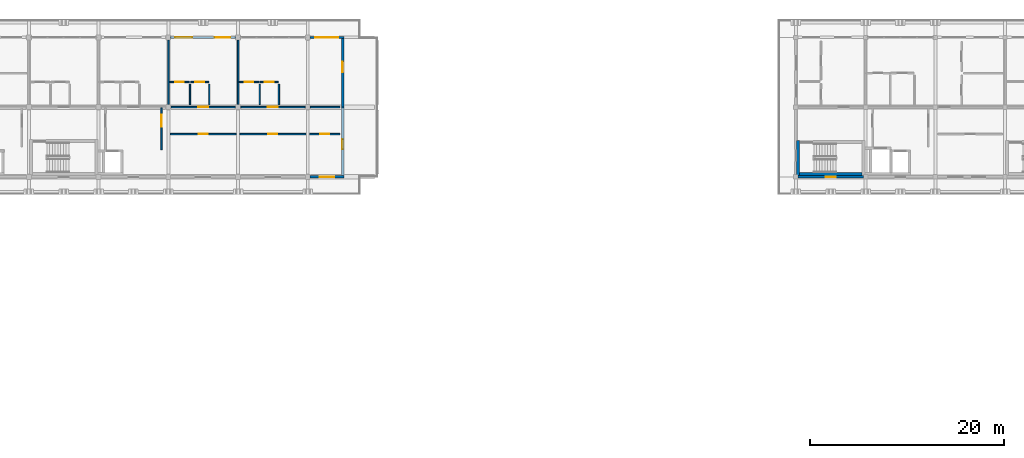
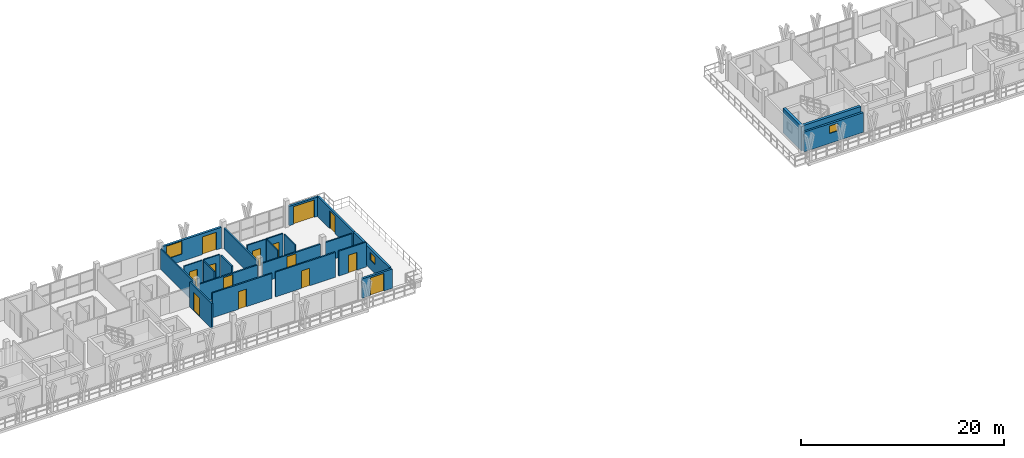
# One storey, part 30 of 45: 25 walls, 14 doors, 3 windows, 17 openings.
"""IFC4 building model written with IfcOpenShell, lengths in metres."""

from ifc_helpers import new_model, si_unit, direction, frame, frame_2d, origin, place, context, subcontext, project, spatial, rectangle, extrude, material, layer, layer_set, type_object, element, fill, save


model = new_model("IFC4")

# Units and contexts
model_context = context("Model", 3, precision=1e-05, world=origin(), true_north=direction((0.0, 1.0)))
body_context = subcontext(model_context, "Body", "Model", "MODEL_VIEW")
ifc_project = project(units=[si_unit("LENGTHUNIT", "METRE"), si_unit("AREAUNIT", "SQUARE_METRE"), si_unit("VOLUMEUNIT", "CUBIC_METRE"), si_unit("PLANEANGLEUNIT", "RADIAN"), si_unit("MASSUNIT", "GRAM", prefix="KILO")], contexts=[model_context])

# Site, building, storey
site_placement = place(None, origin())
site = spatial("IfcSite", under=ifc_project, at=site_placement, CompositionType="ELEMENT")
building_placement = place(site_placement, origin())
building = spatial("IfcBuilding", under=site, at=building_placement, Name="Suanplinth Sawtooth Commons", CompositionType="ELEMENT")
storey_placement = place(building_placement, frame((0.0, 0.0, 38.0)))
storey = spatial("IfcBuildingStorey", under=building, at=storey_placement, Name="L11", CompositionType="ELEMENT", Elevation=38.0)

# Walls
ifc_material_1 = material(Name="Concrete C40/50", Category="concrete")
ifc_layer_1 = layer(ifc_material_1, 0.300048828125, Name="Standard RC stair and lift core wall 300mm")
ifc_layer_set_1 = layer_set([ifc_layer_1], Name="Concrete C40/50")
wall_type_1 = type_object("IfcWallType", Name="W-CR02", PredefinedType="SHEAR", material=ifc_layer_set_1)
wall_1_placement = place(storey_placement, frame((137.14990234375, 108.300048828125, 0.0), z_axis=(0.0, 0.0, 1.0), x_axis=(1.0, 0.0, 0.0)))
element("IfcWall", 1, at=wall_1_placement, inside=storey, type_object=wall_type_1, Name="W-L11-C-B1-STS", PredefinedType="SHEAR", context=body_context, shape_type="SweptSolid", body=[
    extrude(rectangle(XDim=6.5, YDim=0.300048828125, at=frame_2d((3.25, 0.0))), origin(), (0.0, 0.0, 1.0), 2.989990234375),
])
wall_2_placement = place(storey_placement, frame((137.0, 108.14990234375, 0.0), z_axis=(0.0, 0.0, 1.0), x_axis=(0.0, 1.0, 0.0)))
element("IfcWall", 2, at=wall_2_placement, inside=storey, type_object=wall_type_1, Name="W-L11-C-B1-STW", PredefinedType="SHEAR", context=body_context, shape_type="SweptSolid", body=[
    extrude(rectangle(XDim=3.60009765625, YDim=0.300048828125, at=frame_2d((1.800048828125, 0.0))), origin(), (0.0, 0.0, 1.0), 2.989990234375),
])

# Wall, openings, door, window
ifc_material_2 = material(Name="Precast concrete C40/50", Category="concrete")
ifc_layer_2 = layer(ifc_material_2, 0.239990234375, Name="Upper insulated precast facade wall 240mm")
ifc_layer_set_2 = layer_set([ifc_layer_2], Name="Precast concrete C40/50")
wall_type_2 = type_object("IfcWallType", Name="W-EX03", PredefinedType="ELEMENTEDWALL", material=ifc_layer_set_2)
wall_3_placement = place(storey_placement, frame((72.25, 122.39990234375, 0.0), z_axis=(0.0, 0.0, 1.0), x_axis=(1.0, 0.0, 0.0)))
wall_3 = element("IfcWall", 3, at=wall_3_placement, inside=storey, type_object=wall_type_2, Name="Facade Wall W-L11-A-N-7", PredefinedType="ELEMENTEDWALL", context=body_context, shape_type="SweptSolid", body=[
    extrude(rectangle(XDim=6.699951171875, YDim=0.239990234375, at=frame_2d((3.35009765625, 0.0))), origin(), (0.0, 0.0, 1.0), 2.52490234375),
])
opening_1_placement = place(wall_3_placement, frame((4.550048828125, 0.0, 0.0)))
opening_1 = element("IfcOpeningElement", 4, at=opening_1_placement, cuts=wall_3, Name="Opening ED0786", PredefinedType="OPENING", context=body_context, shape_type="SweptSolid", body=[
    extrude(rectangle(XDim=1.60009765625, YDim=2.1201171875, at=frame_2d((0.800048828125, 1.06005859375))), frame((0.0, 0.134765625, 0.0), z_axis=(0.0, -1.0, 0.0), x_axis=(1.0, 0.0, 0.0)), (0.0, 0.0, 1.0), 0.269775390625),
])
opening_2_placement = place(wall_3_placement, frame((0.449951171875, 0.0, 0.864990234375)))
opening_2 = element("IfcOpeningElement", 5, at=opening_2_placement, cuts=wall_3, Name="Opening W0870", PredefinedType="OPENING", context=body_context, shape_type="SweptSolid", body=[
    extrude(rectangle(XDim=1.75, YDim=1.550048828125, at=frame_2d((0.875, 0.77490234375))), frame((0.0, 0.134765625, 0.0), z_axis=(0.0, -1.0, 0.0), x_axis=(1.0, 0.0, 0.0)), (0.0, 0.0, 1.0), 0.269775390625),
])
ifc_material_3 = material(Name="Anodized aluminium and low-E glass", Category="aluminium")
door_type_1 = type_object("IfcDoorType", Name="SD-02", OperationType="SLIDING_TO_RIGHT", PredefinedType="DOOR", material=ifc_material_3)
door_1_placement = place(opening_1_placement, frame((1.60009765625, 0.0, 0.0), z_axis=(0.0, 0.0, 1.0), x_axis=(-1.0, 0.0, 0.0)))
door_1 = element("IfcDoor", 6, at=door_1_placement, inside=storey, type_object=door_type_1, Name="Balcony Sliding Door L11-A-N-7", OperationType="SLIDING_TO_RIGHT", OverallHeight=2.1201171875, OverallWidth=1.60009765625, PredefinedType="DOOR", context=body_context, shape_type="SweptSolid", body=[
    extrude(rectangle(XDim=1.60009765625, YDim=2.1201171875, at=frame_2d((0.800048828125, 1.06005859375))), frame((0.0, 0.02490234375, 0.0), z_axis=(0.0, -1.0, 0.0), x_axis=(1.0, 0.0, 0.0)), (0.0, 0.0, 1.0), 0.050048828125),
])
fill(opening_1, door_1)
ifc_material_4 = material(Name="Thermally broken aluminium and low-E double glazing", Category="aluminium")
window_type_1 = type_object("IfcWindowType", Name="WN-26", PartitioningType="DOUBLE_PANEL_VERTICAL", PredefinedType="WINDOW", material=ifc_material_4)
window_1_placement = place(opening_2_placement, origin())
window_1 = element("IfcWindow", 7, at=window_1_placement, inside=storey, type_object=window_type_1, Name="Window L11-A-N-7", OverallHeight=1.550048828125, OverallWidth=1.75, PartitioningType="DOUBLE_PANEL_VERTICAL", PredefinedType="WINDOW", context=body_context, shape_type="SweptSolid", body=[
    extrude(rectangle(XDim=1.75, YDim=1.550048828125, at=frame_2d((0.875, 0.77490234375))), frame((0.0, 0.030029296875, 0.0), z_axis=(0.0, -1.0, 0.0), x_axis=(1.0, 0.0, 0.0)), (0.0, 0.0, 1.0), 0.06005859375),
])
fill(opening_2, window_1)

# Wall, opening, door
wall_4_placement = place(storey_placement, frame((86.64990234375, 122.39990234375, 0.0), z_axis=(0.0, 0.0, 1.0), x_axis=(1.0, 0.0, 0.0)))
wall_4 = element("IfcWall", 8, at=wall_4_placement, inside=storey, type_object=wall_type_2, Name="Facade Wall W-L11-A-N-9", PredefinedType="ELEMENTEDWALL", context=body_context, shape_type="SweptSolid", body=[
    extrude(rectangle(XDim=3.47021484375, YDim=0.239990234375, at=frame_2d((1.735107421875, 0.0))), origin(), (0.0, 0.0, 1.0), 2.324951171875),
])
opening_3_placement = place(wall_4_placement, frame((0.52001953125, 0.0, 0.0)))
opening_3 = element("IfcOpeningElement", 9, at=opening_3_placement, cuts=wall_4, Name="Opening ED0789", PredefinedType="OPENING", context=body_context, shape_type="SweptSolid", body=[
    extrude(rectangle(XDim=2.39990234375, YDim=2.1201171875, at=frame_2d((1.199951171875, 1.06005859375))), frame((0.0, 0.134765625, 0.0), z_axis=(0.0, -1.0, 0.0), x_axis=(1.0, 0.0, 0.0)), (0.0, 0.0, 1.0), 0.269775390625),
])
door_type_2 = type_object("IfcDoorType", Name="SD-04", OperationType="DOUBLE_DOOR_SLIDING", PredefinedType="DOOR", material=ifc_material_3)
door_2_placement = place(opening_3_placement, frame((2.39990234375, 0.0, 0.0), z_axis=(0.0, 0.0, 1.0), x_axis=(-1.0, 0.0, 0.0)))
door_2 = element("IfcDoor", 10, at=door_2_placement, inside=storey, type_object=door_type_2, Name="Balcony Sliding Door L11-A-N-9", OperationType="DOUBLE_DOOR_SLIDING", OverallHeight=2.1201171875, OverallWidth=2.39990234375, PredefinedType="DOOR", context=body_context, shape_type="SweptSolid", body=[
    extrude(rectangle(XDim=2.39990234375, YDim=2.1201171875, at=frame_2d((1.199951171875, 1.06005859375))), frame((0.0, 0.02490234375, 0.0), z_axis=(0.0, -1.0, 0.0), x_axis=(1.0, 0.0, 0.0)), (0.0, 0.0, 1.0), 0.050048828125),
])
fill(opening_3, door_2)

wall_5_placement = place(storey_placement, frame((86.64990234375, 108.0, 0.0), z_axis=(0.0, 0.0, 1.0), x_axis=(1.0, 0.0, 0.0)))
wall_5 = element("IfcWall", 11, at=wall_5_placement, inside=storey, type_object=wall_type_2, Name="Courtyard Wall W-L11-A-S-9", PredefinedType="ELEMENTEDWALL", context=body_context, shape_type="SweptSolid", body=[
    extrude(rectangle(XDim=3.47021484375, YDim=0.239990234375, at=frame_2d((1.735107421875, 0.0))), origin(), (0.0, 0.0, 1.0), 2.324951171875),
])
opening_4_placement = place(wall_5_placement, frame((0.985107421875, 0.0, 0.0)))
opening_4 = element("IfcOpeningElement", 12, at=opening_4_placement, cuts=wall_5, Name="Opening ED0790", PredefinedType="OPENING", context=body_context, shape_type="SweptSolid", body=[
    extrude(rectangle(XDim=1.5, YDim=2.1201171875, at=frame_2d((0.75, 1.06005859375))), frame((0.0, 0.134765625, 0.0), z_axis=(0.0, -1.0, 0.0), x_axis=(1.0, 0.0, 0.0)), (0.0, 0.0, 1.0), 0.269775390625),
])
door_type_3 = type_object("IfcDoorType", Name="SD-03", OperationType="SLIDING_TO_LEFT", PredefinedType="DOOR", material=ifc_material_3)
door_3_placement = place(opening_4_placement, frame((1.5, 0.0, 0.0), z_axis=(0.0, 0.0, 1.0), x_axis=(-1.0, 0.0, 0.0)))
door_3 = element("IfcDoor", 13, at=door_3_placement, inside=storey, type_object=door_type_3, Name="Courtyard Balcony Sliding Door L11-A-S-9", OperationType="SLIDING_TO_LEFT", OverallHeight=2.1201171875, OverallWidth=1.5, PredefinedType="DOOR", context=body_context, shape_type="SweptSolid", body=[
    extrude(rectangle(XDim=1.5, YDim=2.1201171875, at=frame_2d((0.75, 1.06005859375))), frame((0.0, 0.02490234375, 0.0), z_axis=(0.0, -1.0, 0.0), x_axis=(1.0, 0.0, 0.0)), (0.0, 0.0, 1.0), 0.050048828125),
])
fill(opening_4, door_3)

# Wall, opening, window
wall_6_placement = place(storey_placement, frame((137.02490234375, 108.0, 0.0), z_axis=(0.0, 0.0, 1.0), x_axis=(1.0, 0.0, 0.0)))
wall_6 = element("IfcWall", 14, at=wall_6_placement, inside=storey, type_object=wall_type_2, Name="Facade Wall W-L11-B-S-19-15", PredefinedType="ELEMENTEDWALL", context=body_context, shape_type="SweptSolid", body=[
    extrude(rectangle(XDim=6.75, YDim=0.239990234375, at=frame_2d((3.375, 0.0))), origin(), (0.0, 0.0, 1.0), 2.375),
])
opening_5_placement = place(wall_6_placement, frame((2.875, 0.0, 1.199951171875)))
opening_5 = element("IfcOpeningElement", 15, at=opening_5_placement, cuts=wall_6, Name="Opening W0873", PredefinedType="OPENING", context=body_context, shape_type="SweptSolid", body=[
    extrude(rectangle(XDim=1.0, YDim=0.89990234375, at=frame_2d((0.5, 0.449951171875))), frame((0.0, 0.134765625, 0.0), z_axis=(0.0, -1.0, 0.0), x_axis=(1.0, 0.0, 0.0)), (0.0, 0.0, 1.0), 0.269775390625),
])
window_type_2 = type_object("IfcWindowType", Name="WN-12", PartitioningType="SINGLE_PANEL", PredefinedType="WINDOW", material=ifc_material_4)
window_2_placement = place(opening_5_placement, origin())
window_2 = element("IfcWindow", 16, at=window_2_placement, inside=storey, type_object=window_type_2, Name="Core Daylight Window L11-B-19-15", OverallHeight=0.89990234375, OverallWidth=1.0, PartitioningType="SINGLE_PANEL", PredefinedType="WINDOW", context=body_context, shape_type="SweptSolid", body=[
    extrude(rectangle(XDim=1.0, YDim=0.89990234375, at=frame_2d((0.5, 0.449951171875))), frame((0.0, 0.030029296875, 0.0), z_axis=(0.0, -1.0, 0.0), x_axis=(1.0, 0.0, 0.0)), (0.0, 0.0, 1.0), 0.06005859375),
])
fill(opening_5, window_2)

ifc_layer_3 = layer(ifc_material_2, 0.22998046875, Name="Stepped terrace insulated precast wall 230mm")
ifc_layer_set_3 = layer_set([ifc_layer_3], Name="Precast concrete C40/50")
wall_type_3 = type_object("IfcWallType", Name="W-EX06", PredefinedType="ELEMENTEDWALL", material=ifc_layer_set_3)
wall_7_placement = place(storey_placement, frame((90.0, 108.1201171875, 0.0), z_axis=(0.0, 0.0, 1.0), x_axis=(0.0, 1.0, 0.0)))
wall_7 = element("IfcWall", 17, at=wall_7_placement, inside=storey, type_object=wall_type_3, Name="End Wall W-L11-A-E-15", PredefinedType="ELEMENTEDWALL", context=body_context, shape_type="SweptSolid", body=[
    extrude(rectangle(XDim=7.079833984375, YDim=0.22998046875, at=frame_2d((3.5400390625, 0.0))), origin(), (0.0, 0.0, 1.0), 2.425048828125),
])
opening_6_placement = place(wall_7_placement, frame((2.75, 0.0, 1.10009765625)))
opening_6 = element("IfcOpeningElement", 18, at=opening_6_placement, cuts=wall_7, Name="Opening W0872", PredefinedType="OPENING", context=body_context, shape_type="SweptSolid", body=[
    extrude(rectangle(XDim=1.0, YDim=0.89990234375, at=frame_2d((0.5, 0.449951171875))), frame((0.0, 0.1298828125, 0.0), z_axis=(0.0, -1.0, 0.0), x_axis=(1.0, 0.0, 0.0)), (0.0, 0.0, 1.0), 0.259765625),
])
window_3_placement = place(opening_6_placement, origin())
window_3 = element("IfcWindow", 19, at=window_3_placement, inside=storey, type_object=window_type_2, Name="End Window L11-A-E-15", OverallHeight=0.89990234375, OverallWidth=1.0, PartitioningType="SINGLE_PANEL", PredefinedType="WINDOW", context=body_context, shape_type="SweptSolid", body=[
    extrude(rectangle(XDim=1.0, YDim=0.89990234375, at=frame_2d((0.5, 0.449951171875))), frame((0.0, 0.030029296875, 0.0), z_axis=(0.0, -1.0, 0.0), x_axis=(1.0, 0.0, 0.0)), (0.0, 0.0, 1.0), 0.06005859375),
])
fill(opening_6, window_3)

# Wall, opening, door
wall_8_placement = place(storey_placement, frame((90.0, 115.199951171875, 0.0), z_axis=(0.0, 0.0, 1.0), x_axis=(0.0, 1.0, 0.0)))
wall_8 = element("IfcWall", 20, at=wall_8_placement, inside=storey, type_object=wall_type_3, Name="End Wall W-L11-A-E-16", PredefinedType="ELEMENTEDWALL", context=body_context, shape_type="SweptSolid", body=[
    extrude(rectangle(XDim=7.080078125, YDim=0.22998046875, at=frame_2d((3.5400390625, 0.0))), origin(), (0.0, 0.0, 1.0), 2.425048828125),
])
opening_7_placement = place(wall_8_placement, frame((3.60009765625, 0.0, 0.0)))
opening_7 = element("IfcOpeningElement", 21, at=opening_7_placement, cuts=wall_8, Name="Opening ED0792", PredefinedType="OPENING", context=body_context, shape_type="SweptSolid", body=[
    extrude(rectangle(XDim=1.080078125, YDim=2.1201171875, at=frame_2d((0.5400390625, 1.06005859375))), frame((0.0, 0.1298828125, 0.0), z_axis=(0.0, -1.0, 0.0), x_axis=(1.0, 0.0, 0.0)), (0.0, 0.0, 1.0), 0.259765625),
])
door_type_4 = type_object("IfcDoorType", Name="ED-10", OperationType="NOTDEFINED", PredefinedType="DOOR", material=ifc_material_3)
door_4_placement = place(opening_7_placement, frame((1.080078125, 0.0, 0.0), z_axis=(0.0, 0.0, 1.0), x_axis=(-1.0, 0.0, 0.0)))
door_4 = element("IfcDoor", 22, at=door_4_placement, inside=storey, type_object=door_type_4, Name="L11 Block A E Stepped Terrace Door", OperationType="SINGLE_SWING_LEFT", OverallHeight=2.1201171875, OverallWidth=1.080078125, PredefinedType="DOOR", context=body_context, shape_type="SweptSolid", body=[
    extrude(rectangle(XDim=1.080078125, YDim=2.1201171875, at=frame_2d((0.5400390625, 1.06005859375))), frame((0.0, 0.02490234375, 0.0), z_axis=(0.0, -1.0, 0.0), x_axis=(1.0, 0.0, 0.0)), (0.0, 0.0, 1.0), 0.050048828125),
])
fill(opening_7, door_4)

ifc_layer_4 = layer(ifc_material_2, 0.159912109375, Name="Fire-rated corridor and lobby wall 160mm")
ifc_layer_set_4 = layer_set([ifc_layer_4], Name="Precast concrete C40/50")
wall_type_4 = type_object("IfcWallType", Name="W-FW01", PredefinedType="PARTITIONING", material=ifc_layer_set_4)
wall_9_placement = place(storey_placement, frame((71.280029296875, 110.800048828125, 0.0), z_axis=(0.0, 0.0, 1.0), x_axis=(0.0, 1.0, 0.0)))
wall_9 = element("IfcWall", 23, at=wall_9_placement, inside=storey, type_object=wall_type_4, Name="W-L11-C-A2-LOB-E", PredefinedType="PARTITIONING", context=body_context, shape_type="SweptSolid", body=[
    extrude(rectangle(XDim=4.320068359375, YDim=0.159912109375, at=frame_2d((2.16015625, 0.0))), origin(), (0.0, 0.0, 1.0), 2.989990234375),
])
opening_8_placement = place(wall_9_placement, frame((2.39990234375, 0.0, 0.0)))
opening_8 = element("IfcOpeningElement", 24, at=opening_8_placement, cuts=wall_9, Name="Opening FD0136", PredefinedType="OPENING", context=body_context, shape_type="SweptSolid", body=[
    extrude(rectangle(XDim=1.199951171875, YDim=2.199951171875, at=frame_2d((0.60009765625, 1.10009765625))), frame((0.0, 0.0947265625, 0.0), z_axis=(0.0, -1.0, 0.0), x_axis=(1.0, 0.0, 0.0)), (0.0, 0.0, 1.0), 0.189697265625),
])
ifc_material_5 = material(Name="Teak hardwood fire-rated door assembly", Category="wood")
door_type_5 = type_object("IfcDoorType", Name="FD-02", OperationType="NOTDEFINED", PredefinedType="DOOR", material=ifc_material_5)
door_5_placement = place(opening_8_placement, frame((1.199951171875, 0.0, 0.0), z_axis=(0.0, 0.0, 1.0), x_axis=(-1.0, 0.0, 0.0)))
door_5 = element("IfcDoor", 25, at=door_5_placement, inside=storey, type_object=door_type_5, Name="Lobby Fire Door FD0136", OperationType="SINGLE_SWING_LEFT", OverallHeight=2.199951171875, OverallWidth=1.199951171875, PredefinedType="DOOR", context=body_context, shape_type="SweptSolid", body=[
    extrude(rectangle(XDim=1.199951171875, YDim=2.199951171875, at=frame_2d((0.60009765625, 1.10009765625))), frame((0.0, 0.02490234375, 0.0), z_axis=(0.0, -1.0, 0.0), x_axis=(1.0, 0.0, 0.0)), (0.0, 0.0, 1.0), 0.050048828125),
])
fill(opening_8, door_5)

wall_10_placement = place(storey_placement, frame((72.280029296875, 115.199951171875, 0.0), z_axis=(0.0, 0.0, 1.0), x_axis=(1.0, 0.0, 0.0)))
wall_10 = element("IfcWall", 26, at=wall_10_placement, inside=storey, type_object=wall_type_4, Name="W-A-L11-U06-COR", PredefinedType="PARTITIONING", context=body_context, shape_type="SweptSolid", body=[
    extrude(rectangle(XDim=6.639892578125, YDim=0.159912109375, at=frame_2d((3.31982421875, 0.0))), origin(), (0.0, 0.0, 1.0), 2.324951171875),
])
opening_9_placement = place(wall_10_placement, frame((2.794921875, 0.0, 0.0)))
opening_9 = element("IfcOpeningElement", 27, at=opening_9_placement, cuts=wall_10, Name="Opening FD1945", PredefinedType="OPENING", context=body_context, shape_type="SweptSolid", body=[
    extrude(rectangle(XDim=1.050048828125, YDim=2.14990234375, at=frame_2d((0.52490234375, 1.074951171875))), frame((0.0, 0.0947265625, 0.0), z_axis=(0.0, -1.0, 0.0), x_axis=(1.0, 0.0, 0.0)), (0.0, 0.0, 1.0), 0.189697265625),
])
door_type_6 = type_object("IfcDoorType", Name="FD-04", OperationType="NOTDEFINED", PredefinedType="DOOR", material=ifc_material_5)
door_6_placement = place(opening_9_placement, origin())
door_6 = element("IfcDoor", 28, at=door_6_placement, inside=storey, type_object=door_type_6, Name="Unit Entrance Door FD1945", OperationType="SINGLE_SWING_LEFT", OverallHeight=2.14990234375, OverallWidth=1.050048828125, PredefinedType="DOOR", context=body_context, shape_type="SweptSolid", body=[
    extrude(rectangle(XDim=1.050048828125, YDim=2.14990234375, at=frame_2d((0.52490234375, 1.074951171875))), frame((0.0, 0.02490234375, 0.0), z_axis=(0.0, -1.0, 0.0), x_axis=(1.0, 0.0, 0.0)), (0.0, 0.0, 1.0), 0.050048828125),
])
fill(opening_9, door_6)

wall_11_placement = place(storey_placement, frame((79.47998046875, 115.199951171875, 0.0), z_axis=(0.0, 0.0, 1.0), x_axis=(1.0, 0.0, 0.0)))
wall_11 = element("IfcWall", 29, at=wall_11_placement, inside=storey, type_object=wall_type_4, Name="W-A-L11-U07-COR-S1", PredefinedType="PARTITIONING", context=body_context, shape_type="SweptSolid", body=[
    extrude(rectangle(XDim=6.64013671875, YDim=0.159912109375, at=frame_2d((3.320068359375, 0.0))), origin(), (0.0, 0.0, 1.0), 2.324951171875),
])
opening_10_placement = place(wall_11_placement, frame((2.794921875, 0.0, 0.0)))
opening_10 = element("IfcOpeningElement", 30, at=opening_10_placement, cuts=wall_11, Name="Opening FD1948", PredefinedType="OPENING", context=body_context, shape_type="SweptSolid", body=[
    extrude(rectangle(XDim=1.050048828125, YDim=2.14990234375, at=frame_2d((0.52490234375, 1.074951171875))), frame((0.0, 0.0947265625, 0.0), z_axis=(0.0, -1.0, 0.0), x_axis=(1.0, 0.0, 0.0)), (0.0, 0.0, 1.0), 0.189697265625),
])
door_7_placement = place(opening_10_placement, origin())
door_7 = element("IfcDoor", 31, at=door_7_placement, inside=storey, type_object=door_type_6, Name="Unit Entrance Door FD1948", OperationType="SINGLE_SWING_RIGHT", OverallHeight=2.14990234375, OverallWidth=1.050048828125, PredefinedType="DOOR", context=body_context, shape_type="SweptSolid", body=[
    extrude(rectangle(XDim=1.050048828125, YDim=2.14990234375, at=frame_2d((0.52490234375, 1.074951171875))), frame((0.0, 0.02490234375, 0.0), z_axis=(0.0, -1.0, 0.0), x_axis=(1.0, 0.0, 0.0)), (0.0, 0.0, 1.0), 0.050048828125),
])
fill(opening_10, door_7)

# Wall
wall_12_placement = place(storey_placement, frame((86.679931640625, 115.199951171875, 0.0), z_axis=(0.0, 0.0, 1.0), x_axis=(1.0, 0.0, 0.0)))
element("IfcWall", 32, at=wall_12_placement, inside=storey, type_object=wall_type_4, Name="W-A-L11-U07-COR-S2", PredefinedType="PARTITIONING", context=body_context, shape_type="SweptSolid", body=[
    extrude(rectangle(XDim=3.0400390625, YDim=0.159912109375, at=frame_2d((1.52001953125, 0.0))), origin(), (0.0, 0.0, 1.0), 2.324951171875),
])

# Wall, opening, door
wall_13_placement = place(storey_placement, frame((72.199951171875, 112.419921875, 0.0), z_axis=(0.0, 0.0, 1.0), x_axis=(1.0, 0.0, 0.0)))
wall_13 = element("IfcWall", 33, at=wall_13_placement, inside=storey, type_object=wall_type_4, Name="W-A-L11-COURTROOM-10-COR", PredefinedType="PARTITIONING", context=body_context, shape_type="SweptSolid", body=[
    extrude(rectangle(XDim=6.800048828125, YDim=0.159912109375, at=frame_2d((3.39990234375, 0.0))), origin(), (0.0, 0.0, 1.0), 2.989990234375),
])
opening_11_placement = place(wall_13_placement, frame((2.929931640625, 0.0, 0.0)))
opening_11 = element("IfcOpeningElement", 34, at=opening_11_placement, cuts=wall_13, Name="Opening D1954", PredefinedType="OPENING", context=body_context, shape_type="SweptSolid", body=[
    extrude(rectangle(XDim=0.93994140625, YDim=2.1201171875, at=frame_2d((0.469970703125, 1.06005859375))), frame((0.0, 0.0947265625, 0.0), z_axis=(0.0, -1.0, 0.0), x_axis=(1.0, 0.0, 0.0)), (0.0, 0.0, 1.0), 0.189697265625),
])
ifc_material_6 = material(Name="Teak hardwood", Category="wood")
door_type_7 = type_object("IfcDoorType", Name="D-15", OperationType="NOTDEFINED", PredefinedType="DOOR", material=ifc_material_6)
door_8_placement = place(opening_11_placement, frame((0.93994140625, 0.0, 0.0), z_axis=(0.0, 0.0, 1.0), x_axis=(-1.0, 0.0, 0.0)))
door_8 = element("IfcDoor", 35, at=door_8_placement, inside=storey, type_object=door_type_7, Name="Study Studio Door D1954", OperationType="SINGLE_SWING_RIGHT", OverallHeight=2.1201171875, OverallWidth=0.93994140625, PredefinedType="DOOR", context=body_context, shape_type="SweptSolid", body=[
    extrude(rectangle(XDim=0.93994140625, YDim=2.1201171875, at=frame_2d((0.469970703125, 1.06005859375))), frame((0.0, 0.02490234375, 0.0), z_axis=(0.0, -1.0, 0.0), x_axis=(1.0, 0.0, 0.0)), (0.0, 0.0, 1.0), 0.050048828125),
])
fill(opening_11, door_8)

wall_14_placement = place(storey_placement, frame((79.39990234375, 112.419921875, 0.0), z_axis=(0.0, 0.0, 1.0), x_axis=(1.0, 0.0, 0.0)))
wall_14 = element("IfcWall", 36, at=wall_14_placement, inside=storey, type_object=wall_type_4, Name="W-A-L11-COURTROOM-11-COR", PredefinedType="PARTITIONING", context=body_context, shape_type="SweptSolid", body=[
    extrude(rectangle(XDim=6.800048828125, YDim=0.159912109375, at=frame_2d((3.39990234375, 0.0))), origin(), (0.0, 0.0, 1.0), 2.989990234375),
])
opening_12_placement = place(wall_14_placement, frame((2.929931640625, 0.0, 0.0)))
opening_12 = element("IfcOpeningElement", 37, at=opening_12_placement, cuts=wall_14, Name="Opening D1955", PredefinedType="OPENING", context=body_context, shape_type="SweptSolid", body=[
    extrude(rectangle(XDim=0.93994140625, YDim=2.1201171875, at=frame_2d((0.469970703125, 1.06005859375))), frame((0.0, 0.0947265625, 0.0), z_axis=(0.0, -1.0, 0.0), x_axis=(1.0, 0.0, 0.0)), (0.0, 0.0, 1.0), 0.189697265625),
])
door_9_placement = place(opening_12_placement, frame((0.93994140625, 0.0, 0.0), z_axis=(0.0, 0.0, 1.0), x_axis=(-1.0, 0.0, 0.0)))
door_9 = element("IfcDoor", 38, at=door_9_placement, inside=storey, type_object=door_type_7, Name="Study Studio Door D1955", OperationType="SINGLE_SWING_LEFT", OverallHeight=2.1201171875, OverallWidth=0.93994140625, PredefinedType="DOOR", context=body_context, shape_type="SweptSolid", body=[
    extrude(rectangle(XDim=0.93994140625, YDim=2.1201171875, at=frame_2d((0.469970703125, 1.06005859375))), frame((0.0, 0.02490234375, 0.0), z_axis=(0.0, -1.0, 0.0), x_axis=(1.0, 0.0, 0.0)), (0.0, 0.0, 1.0), 0.050048828125),
])
fill(opening_12, door_9)

wall_15_placement = place(storey_placement, frame((86.60009765625, 112.419921875, 0.0), z_axis=(0.0, 0.0, 1.0), x_axis=(1.0, 0.0, 0.0)))
wall_15 = element("IfcWall", 39, at=wall_15_placement, inside=storey, type_object=wall_type_4, Name="W-A-L11-COURTROOM-12-COR", PredefinedType="PARTITIONING", context=body_context, shape_type="SweptSolid", body=[
    extrude(rectangle(XDim=3.119873046875, YDim=0.159912109375, at=frame_2d((1.56005859375, 0.0))), origin(), (0.0, 0.0, 1.0), 2.989990234375),
])
opening_13_placement = place(wall_15_placement, frame((1.090087890625, 0.0, 0.0)))
opening_13 = element("IfcOpeningElement", 40, at=opening_13_placement, cuts=wall_15, Name="Opening D1956", PredefinedType="OPENING", context=body_context, shape_type="SweptSolid", body=[
    extrude(rectangle(XDim=0.93994140625, YDim=2.1201171875, at=frame_2d((0.469970703125, 1.06005859375))), frame((0.0, 0.0947265625, 0.0), z_axis=(0.0, -1.0, 0.0), x_axis=(1.0, 0.0, 0.0)), (0.0, 0.0, 1.0), 0.189697265625),
])
door_10_placement = place(opening_13_placement, frame((0.93994140625, 0.0, 0.0), z_axis=(0.0, 0.0, 1.0), x_axis=(-1.0, 0.0, 0.0)))
door_10 = element("IfcDoor", 41, at=door_10_placement, inside=storey, type_object=door_type_7, Name="Study Studio Door D1956", OperationType="SINGLE_SWING_RIGHT", OverallHeight=2.1201171875, OverallWidth=0.93994140625, PredefinedType="DOOR", context=body_context, shape_type="SweptSolid", body=[
    extrude(rectangle(XDim=0.93994140625, YDim=2.1201171875, at=frame_2d((0.469970703125, 1.06005859375))), frame((0.0, 0.02490234375, 0.0), z_axis=(0.0, -1.0, 0.0), x_axis=(1.0, 0.0, 0.0)), (0.0, 0.0, 1.0), 0.050048828125),
])
fill(opening_13, door_10)

# Walls
ifc_layer_5 = layer(ifc_material_2, 0.14990234375, Name="Acoustic precast party demising wall 150mm")
ifc_layer_set_5 = layer_set([ifc_layer_5], Name="Precast concrete C40/50")
wall_type_5 = type_object("IfcWallType", Name="W-FW02", PredefinedType="PARTITIONING", material=ifc_layer_set_5)
for number, where, z_axis, x_axis, name in (
    (42, (72.0, 115.47998046875, 0.0), (0.0, 0.0, 1.0), (0.0, 1.0, 0.0), "W-A-L11-U05-PTY"),
    (43, (79.199951171875, 115.47998046875, 0.0), (0.0, 0.0, 1.0), (0.0, 1.0, 0.0), "W-A-L11-U06-PTY"),
):
    element("IfcWall", number, at=place(storey_placement, frame(where, z_axis=z_axis, x_axis=x_axis)), inside=storey, type_object=wall_type_5, Name=name, PredefinedType="PARTITIONING", context=body_context, shape_type="SweptSolid", body=[
        extrude(rectangle(XDim=6.64013671875, YDim=0.14990234375, at=frame_2d((3.320068359375, 0.0))), origin(), (0.0, 0.0, 1.0), 2.47509765625),
    ])

# Wall, opening, door
ifc_material_7 = material(Name="Gypsum plasterboard on steel stud", Category="steel")
ifc_layer_6 = layer(ifc_material_7, 0.139892578125, Name="Fire-rated kitchen partition 140mm")
ifc_layer_set_6 = layer_set([ifc_layer_6], Name="Gypsum plasterboard on steel stud")
wall_type_6 = type_object("IfcWallType", Name="W-PT01", PredefinedType="PARTITIONING", material=ifc_layer_set_6)
wall_16_placement = place(storey_placement, frame((74.300048828125, 117.800048828125, 0.0), z_axis=(0.0, 0.0, 1.0), x_axis=(1.0, 0.0, 0.0)))
wall_16 = element("IfcWall", 44, at=wall_16_placement, inside=storey, type_object=wall_type_6, Name="W-A-L11-U06-KIT1", PredefinedType="PARTITIONING", context=body_context, shape_type="SweptSolid", body=[
    extrude(rectangle(XDim=1.849853515625, YDim=0.139892578125, at=frame_2d((0.9248046875, 0.0))), origin(), (0.0, 0.0, 1.0), 2.989990234375),
])
opening_14_placement = place(wall_16_placement, frame((0.465087890625, 0.0, 0.0)))
opening_14 = element("IfcOpeningElement", 45, at=opening_14_placement, cuts=wall_16, Name="Opening D1947", PredefinedType="OPENING", context=body_context, shape_type="SweptSolid", body=[
    extrude(rectangle(XDim=0.919921875, YDim=2.10009765625, at=frame_2d((0.4599609375, 1.050048828125))), frame((0.0, 0.0849609375, 0.0), z_axis=(0.0, -1.0, 0.0), x_axis=(1.0, 0.0, 0.0)), (0.0, 0.0, 1.0), 0.169677734375),
])
door_type_8 = type_object("IfcDoorType", Name="D-02", OperationType="NOTDEFINED", PredefinedType="DOOR", material=ifc_material_6)
door_11_placement = place(opening_14_placement, frame((0.919921875, 0.0, 0.0), z_axis=(0.0, 0.0, 1.0), x_axis=(-1.0, 0.0, 0.0)))
door_11 = element("IfcDoor", 46, at=door_11_placement, inside=storey, type_object=door_type_8, Name="Kitchen Door D1947", OperationType="SINGLE_SWING_LEFT", OverallHeight=2.10009765625, OverallWidth=0.919921875, PredefinedType="DOOR", context=body_context, shape_type="SweptSolid", body=[
    extrude(rectangle(XDim=0.919921875, YDim=2.10009765625, at=frame_2d((0.4599609375, 1.050048828125))), frame((0.0, 0.02490234375, 0.0), z_axis=(0.0, -1.0, 0.0), x_axis=(1.0, 0.0, 0.0)), (0.0, 0.0, 1.0), 0.050048828125),
])
fill(opening_14, door_11)

# Wall
wall_17_placement = place(storey_placement, frame((76.219970703125, 115.429931640625, 0.0), z_axis=(0.0, 0.0, 1.0), x_axis=(0.0, 1.0, 0.0)))
element("IfcWall", 47, at=wall_17_placement, inside=storey, type_object=wall_type_6, Name="W-A-L11-U06-KIT2", PredefinedType="PARTITIONING", context=body_context, shape_type="SweptSolid", body=[
    extrude(rectangle(XDim=2.150146484375, YDim=0.139892578125, at=frame_2d((1.0751953125, 0.0))), origin(), (0.0, 0.0, 1.0), 2.989990234375),
])

# Wall, opening, door
wall_18_placement = place(storey_placement, frame((81.5, 117.800048828125, 0.0), z_axis=(0.0, 0.0, 1.0), x_axis=(1.0, 0.0, 0.0)))
wall_18 = element("IfcWall", 48, at=wall_18_placement, inside=storey, type_object=wall_type_6, Name="W-A-L11-U07-KIT1", PredefinedType="PARTITIONING", context=body_context, shape_type="SweptSolid", body=[
    extrude(rectangle(XDim=1.85009765625, YDim=0.139892578125, at=frame_2d((0.925048828125, 0.0))), origin(), (0.0, 0.0, 1.0), 2.989990234375),
])
opening_15_placement = place(wall_18_placement, frame((0.465087890625, 0.0, 0.0)))
opening_15 = element("IfcOpeningElement", 49, at=opening_15_placement, cuts=wall_18, Name="Opening D1950", PredefinedType="OPENING", context=body_context, shape_type="SweptSolid", body=[
    extrude(rectangle(XDim=0.919921875, YDim=2.10009765625, at=frame_2d((0.4599609375, 1.050048828125))), frame((0.0, 0.0849609375, 0.0), z_axis=(0.0, -1.0, 0.0), x_axis=(1.0, 0.0, 0.0)), (0.0, 0.0, 1.0), 0.169677734375),
])
door_12_placement = place(opening_15_placement, frame((0.919921875, 0.0, 0.0), z_axis=(0.0, 0.0, 1.0), x_axis=(-1.0, 0.0, 0.0)))
door_12 = element("IfcDoor", 50, at=door_12_placement, inside=storey, type_object=door_type_8, Name="Kitchen Door D1950", OperationType="SINGLE_SWING_RIGHT", OverallHeight=2.10009765625, OverallWidth=0.919921875, PredefinedType="DOOR", context=body_context, shape_type="SweptSolid", body=[
    extrude(rectangle(XDim=0.919921875, YDim=2.10009765625, at=frame_2d((0.4599609375, 1.050048828125))), frame((0.0, 0.02490234375, 0.0), z_axis=(0.0, -1.0, 0.0), x_axis=(1.0, 0.0, 0.0)), (0.0, 0.0, 1.0), 0.050048828125),
])
fill(opening_15, door_12)

# Wall
wall_19_placement = place(storey_placement, frame((83.419921875, 115.429931640625, 0.0), z_axis=(0.0, 0.0, 1.0), x_axis=(0.0, 1.0, 0.0)))
element("IfcWall", 51, at=wall_19_placement, inside=storey, type_object=wall_type_6, Name="W-A-L11-U07-KIT2", PredefinedType="PARTITIONING", context=body_context, shape_type="SweptSolid", body=[
    extrude(rectangle(XDim=2.150146484375, YDim=0.139892578125, at=frame_2d((1.0751953125, 0.0))), origin(), (0.0, 0.0, 1.0), 2.989990234375),
])

# Wall, opening, door
ifc_layer_7 = layer(ifc_material_7, 0.1298828125, Name="Moisture-resistant bathroom partition 130mm")
ifc_layer_set_7 = layer_set([ifc_layer_7], Name="Gypsum plasterboard on steel stud")
wall_type_7 = type_object("IfcWallType", Name="W-PT02", PredefinedType="PARTITIONING", material=ifc_layer_set_7)
wall_20_placement = place(storey_placement, frame((72.080078125, 117.794921875, 0.0), z_axis=(0.0, 0.0, 1.0), x_axis=(1.0, 0.0, 0.0)))
wall_20 = element("IfcWall", 52, at=wall_20_placement, inside=storey, type_object=wall_type_7, Name="W-A-L11-U06-BTH1", PredefinedType="PARTITIONING", context=body_context, shape_type="SweptSolid", body=[
    extrude(rectangle(XDim=2.099853515625, YDim=0.1298828125, at=frame_2d((1.0498046875, 0.0))), origin(), (0.0, 0.0, 1.0), 2.989990234375),
])
opening_16_placement = place(wall_20_placement, frame((0.610107421875, 0.0, 0.0)))
opening_16 = element("IfcOpeningElement", 53, at=opening_16_placement, cuts=wall_20, Name="Opening D1946", PredefinedType="OPENING", context=body_context, shape_type="SweptSolid", body=[
    extrude(rectangle(XDim=0.8798828125, YDim=2.10009765625, at=frame_2d((0.43994140625, 1.050048828125))), frame((0.0, 0.079833984375, 0.0), z_axis=(0.0, -1.0, 0.0), x_axis=(1.0, 0.0, 0.0)), (0.0, 0.0, 1.0), 0.15966796875),
])
door_type_9 = type_object("IfcDoorType", Name="D-14", OperationType="NOTDEFINED", PredefinedType="DOOR", material=ifc_material_6)
door_13_placement = place(opening_16_placement, frame((0.8798828125, 0.0, 0.0), z_axis=(0.0, 0.0, 1.0), x_axis=(-1.0, 0.0, 0.0)))
door_13 = element("IfcDoor", 54, at=door_13_placement, inside=storey, type_object=door_type_9, Name="Bathroom Door D1946", OperationType="SINGLE_SWING_RIGHT", OverallHeight=2.10009765625, OverallWidth=0.8798828125, PredefinedType="DOOR", context=body_context, shape_type="SweptSolid", body=[
    extrude(rectangle(XDim=0.8798828125, YDim=2.10009765625, at=frame_2d((0.43994140625, 1.050048828125))), frame((0.0, 0.02490234375, 0.0), z_axis=(0.0, -1.0, 0.0), x_axis=(1.0, 0.0, 0.0)), (0.0, 0.0, 1.0), 0.050048828125),
])
fill(opening_16, door_13)

# Wall
wall_21_placement = place(storey_placement, frame((74.2451171875, 115.4599609375, 0.0), z_axis=(0.0, 0.0, 1.0), x_axis=(0.0, 1.0, 0.0)))
element("IfcWall", 55, at=wall_21_placement, inside=storey, type_object=wall_type_7, Name="W-A-L11-U06-BTH2", PredefinedType="PARTITIONING", context=body_context, shape_type="SweptSolid", body=[
    extrude(rectangle(XDim=2.130126953125, YDim=0.1298828125, at=frame_2d((1.06494140625, 0.0))), origin(), (0.0, 0.0, 1.0), 2.989990234375),
])

# Wall, opening, door
wall_22_placement = place(storey_placement, frame((79.280029296875, 117.794921875, 0.0), z_axis=(0.0, 0.0, 1.0), x_axis=(1.0, 0.0, 0.0)))
wall_22 = element("IfcWall", 56, at=wall_22_placement, inside=storey, type_object=wall_type_7, Name="W-A-L11-U07-BTH1", PredefinedType="PARTITIONING", context=body_context, shape_type="SweptSolid", body=[
    extrude(rectangle(XDim=2.099853515625, YDim=0.1298828125, at=frame_2d((1.0498046875, 0.0))), origin(), (0.0, 0.0, 1.0), 2.989990234375),
])
opening_17_placement = place(wall_22_placement, frame((0.610107421875, 0.0, 0.0)))
opening_17 = element("IfcOpeningElement", 57, at=opening_17_placement, cuts=wall_22, Name="Opening D1949", PredefinedType="OPENING", context=body_context, shape_type="SweptSolid", body=[
    extrude(rectangle(XDim=0.8798828125, YDim=2.10009765625, at=frame_2d((0.43994140625, 1.050048828125))), frame((0.0, 0.079833984375, 0.0), z_axis=(0.0, -1.0, 0.0), x_axis=(1.0, 0.0, 0.0)), (0.0, 0.0, 1.0), 0.15966796875),
])
door_14_placement = place(opening_17_placement, frame((0.8798828125, 0.0, 0.0), z_axis=(0.0, 0.0, 1.0), x_axis=(-1.0, 0.0, 0.0)))
door_14 = element("IfcDoor", 58, at=door_14_placement, inside=storey, type_object=door_type_9, Name="Bathroom Door D1949", OperationType="SINGLE_SWING_LEFT", OverallHeight=2.10009765625, OverallWidth=0.8798828125, PredefinedType="DOOR", context=body_context, shape_type="SweptSolid", body=[
    extrude(rectangle(XDim=0.8798828125, YDim=2.10009765625, at=frame_2d((0.43994140625, 1.050048828125))), frame((0.0, 0.02490234375, 0.0), z_axis=(0.0, -1.0, 0.0), x_axis=(1.0, 0.0, 0.0)), (0.0, 0.0, 1.0), 0.050048828125),
])
fill(opening_17, door_14)

# Wall
wall_23_placement = place(storey_placement, frame((81.445068359375, 115.4599609375, 0.0), z_axis=(0.0, 0.0, 1.0), x_axis=(0.0, 1.0, 0.0)))
element("IfcWall", 59, at=wall_23_placement, inside=storey, type_object=wall_type_7, Name="W-A-L11-U07-BTH2", PredefinedType="PARTITIONING", context=body_context, shape_type="SweptSolid", body=[
    extrude(rectangle(XDim=2.130126953125, YDim=0.1298828125, at=frame_2d((1.06494140625, 0.0))), origin(), (0.0, 0.0, 1.0), 2.989990234375),
])

save(model, "model.ifc")
